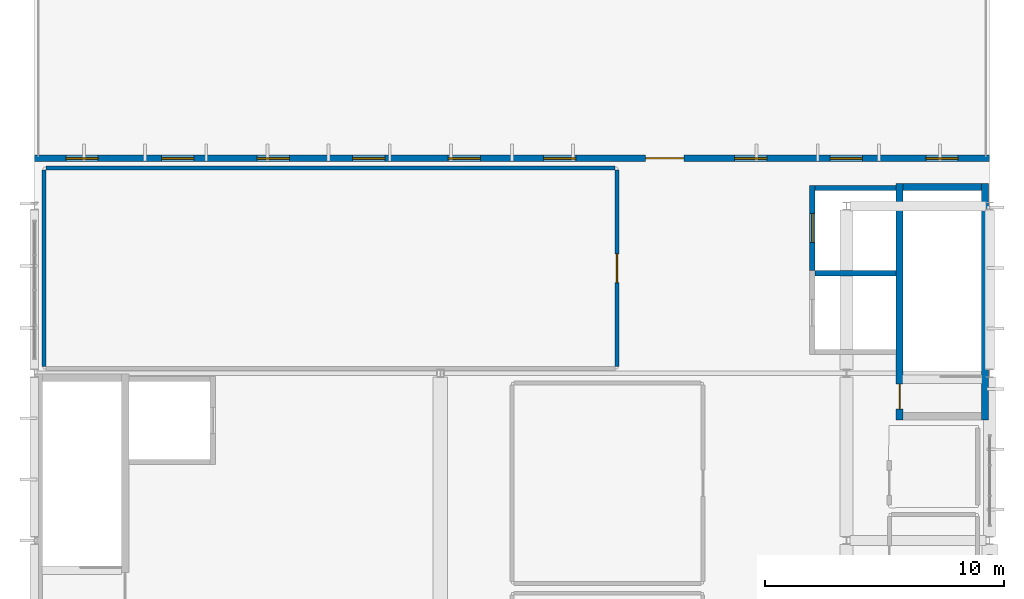
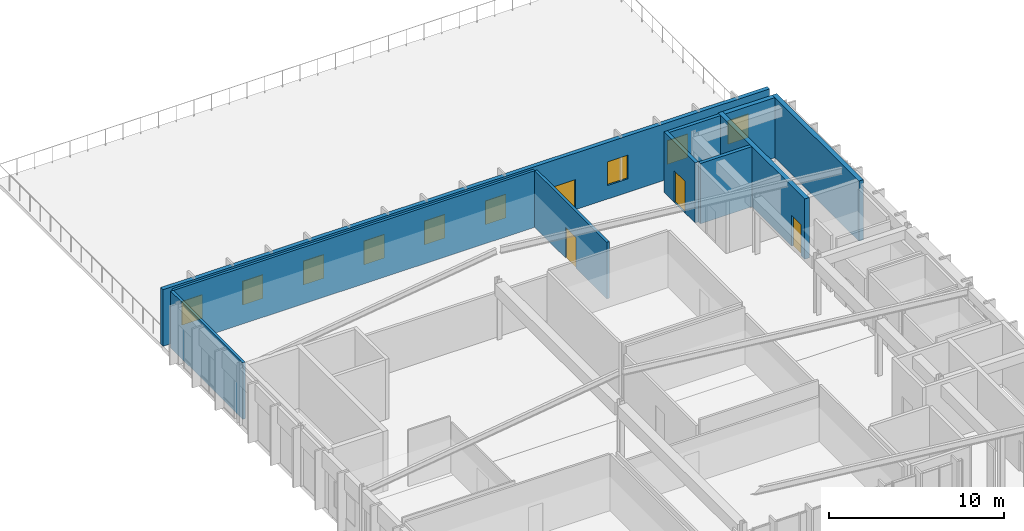
# One storey, part 14 of 16: 10 walls, 9 windows, 4 doors, 13 openings.
"""IFC4 building model written with IfcOpenShell, lengths in metres."""

from ifc_helpers import new_model, si_unit, direction, frame, frame_2d, origin, place, context, subcontext, project, spatial, rectangle, extrude, material, layer, layer_set, type_object, element, fill, save


model = new_model("IFC4")

# Units and contexts
model_context = context("Model", 3, precision=1e-05, world=origin(), true_north=direction((0.0, 1.0)))
body_context = subcontext(model_context, "Body", "Model", "MODEL_VIEW")
ifc_project = project(units=[si_unit("LENGTHUNIT", "METRE"), si_unit("AREAUNIT", "SQUARE_METRE"), si_unit("VOLUMEUNIT", "CUBIC_METRE"), si_unit("PLANEANGLEUNIT", "RADIAN"), si_unit("MASSUNIT", "GRAM", prefix="KILO")], contexts=[model_context])

# Site, building, storey
site_placement = place(None, origin())
site = spatial("IfcSite", under=ifc_project, at=site_placement, CompositionType="ELEMENT")
building_placement = place(site_placement, origin())
building = spatial("IfcBuilding", under=site, at=building_placement, Name="Larkveld Mobility Hub", CompositionType="ELEMENT")
storey_placement = place(building_placement, frame((0.0, 0.0, 22.800048828125)))
storey = spatial("IfcBuildingStorey", under=building, at=storey_placement, Name="L06", CompositionType="ELEMENT", Elevation=22.800048828125)

# Wall, openings, door, windows
ifc_material_1 = material(Name="Precast concrete C50/60", Category="concrete")
ifc_layer_1 = layer(ifc_material_1, 0.27001953125, Name="Precast concrete C50/60", Category="concrete")
ifc_layer_set_1 = layer_set([ifc_layer_1], Name="Precast concrete C50/60")
wall_type_1 = type_object("IfcWallType", Name="WL-EXT-270", PredefinedType="SOLIDWALL", material=ifc_layer_set_1)
wall_1_placement = place(storey_placement, frame((152.0, 65.0, 0.0), z_axis=(0.0, 0.0, 1.0), x_axis=(-1.0, 0.0, 0.0)))
wall_1 = element("IfcWall", 1, at=wall_1_placement, inside=storey, type_object=wall_type_1, Name="Stepped North Terrace Wall L06-0246", PredefinedType="SOLIDWALL", context=body_context, shape_type="SweptSolid", body=[
    extrude(rectangle(XDim=40.0, YDim=0.27001953125, at=frame_2d((20.0, 0.0))), origin(), (0.0, 0.0, 1.0), 3.945068359375),
])
opening_1_placement = place(wall_1_placement, frame((12.800048828125, 0.0, 0.0)))
opening_1 = element("IfcOpeningElement", 2, at=opening_1_placement, cuts=wall_1, Name="Opening ED07", PredefinedType="OPENING", context=body_context, shape_type="SweptSolid", body=[
    extrude(rectangle(XDim=1.60009765625, YDim=2.10009765625, at=frame_2d((0.800048828125, 1.050048828125))), frame((0.0, 0.14501953125, 0.0), z_axis=(0.0, -1.0, 0.0), x_axis=(1.0, 0.0, 0.0)), (0.0, 0.0, 1.0), 0.2900390625),
])
opening_2_placement = place(wall_1_placement, frame((1.324951171875, 0.0, 0.949951171875)))
opening_2 = element("IfcOpeningElement", 3, at=opening_2_placement, cuts=wall_1, Name="Opening W19", PredefinedType="OPENING", context=body_context, shape_type="SweptSolid", body=[
    extrude(rectangle(XDim=1.35009765625, YDim=1.64990234375, at=frame_2d((0.675048828125, 0.824951171875))), frame((0.0, 0.14501953125, 0.0), z_axis=(0.0, -1.0, 0.0), x_axis=(1.0, 0.0, 0.0)), (0.0, 0.0, 1.0), 0.2900390625),
])
opening_3_placement = place(wall_1_placement, frame((5.324951171875, 0.0, 0.949951171875)))
opening_3 = element("IfcOpeningElement", 4, at=opening_3_placement, cuts=wall_1, Name="Opening W19", PredefinedType="OPENING", context=body_context, shape_type="SweptSolid", body=[
    extrude(rectangle(XDim=1.35009765625, YDim=1.64990234375, at=frame_2d((0.675048828125, 0.824951171875))), frame((0.0, 0.14501953125, 0.0), z_axis=(0.0, -1.0, 0.0), x_axis=(1.0, 0.0, 0.0)), (0.0, 0.0, 1.0), 0.2900390625),
])
opening_4_placement = place(wall_1_placement, frame((9.324951171875, 0.0, 0.949951171875)))
opening_4 = element("IfcOpeningElement", 5, at=opening_4_placement, cuts=wall_1, Name="Opening W19", PredefinedType="OPENING", context=body_context, shape_type="SweptSolid", body=[
    extrude(rectangle(XDim=1.35009765625, YDim=1.64990234375, at=frame_2d((0.675048828125, 0.824951171875))), frame((0.0, 0.14501953125, 0.0), z_axis=(0.0, -1.0, 0.0), x_axis=(1.0, 0.0, 0.0)), (0.0, 0.0, 1.0), 0.2900390625),
])
opening_5_placement = place(wall_1_placement, frame((17.324951171875, 0.0, 0.949951171875)))
opening_5 = element("IfcOpeningElement", 6, at=opening_5_placement, cuts=wall_1, Name="Opening W19", PredefinedType="OPENING", context=body_context, shape_type="SweptSolid", body=[
    extrude(rectangle(XDim=1.35009765625, YDim=1.64990234375, at=frame_2d((0.675048828125, 0.824951171875))), frame((0.0, 0.14501953125, 0.0), z_axis=(0.0, -1.0, 0.0), x_axis=(1.0, 0.0, 0.0)), (0.0, 0.0, 1.0), 0.2900390625),
])
opening_6_placement = place(wall_1_placement, frame((21.324951171875, 0.0, 0.949951171875)))
opening_6 = element("IfcOpeningElement", 7, at=opening_6_placement, cuts=wall_1, Name="Opening W19", PredefinedType="OPENING", context=body_context, shape_type="SweptSolid", body=[
    extrude(rectangle(XDim=1.35009765625, YDim=1.64990234375, at=frame_2d((0.675048828125, 0.824951171875))), frame((0.0, 0.14501953125, 0.0), z_axis=(0.0, -1.0, 0.0), x_axis=(1.0, 0.0, 0.0)), (0.0, 0.0, 1.0), 0.2900390625),
])
opening_7_placement = place(wall_1_placement, frame((25.324951171875, 0.0, 0.949951171875)))
opening_7 = element("IfcOpeningElement", 8, at=opening_7_placement, cuts=wall_1, Name="Opening W19", PredefinedType="OPENING", context=body_context, shape_type="SweptSolid", body=[
    extrude(rectangle(XDim=1.35009765625, YDim=1.64990234375, at=frame_2d((0.675048828125, 0.824951171875))), frame((0.0, 0.14501953125, 0.0), z_axis=(0.0, -1.0, 0.0), x_axis=(1.0, 0.0, 0.0)), (0.0, 0.0, 1.0), 0.2900390625),
])
opening_8_placement = place(wall_1_placement, frame((29.324951171875, 0.0, 0.949951171875)))
opening_8 = element("IfcOpeningElement", 9, at=opening_8_placement, cuts=wall_1, Name="Opening W19", PredefinedType="OPENING", context=body_context, shape_type="SweptSolid", body=[
    extrude(rectangle(XDim=1.35009765625, YDim=1.64990234375, at=frame_2d((0.675048828125, 0.824951171875))), frame((0.0, 0.14501953125, 0.0), z_axis=(0.0, -1.0, 0.0), x_axis=(1.0, 0.0, 0.0)), (0.0, 0.0, 1.0), 0.2900390625),
])
opening_9_placement = place(wall_1_placement, frame((33.324951171875, 0.0, 0.949951171875)))
opening_9 = element("IfcOpeningElement", 10, at=opening_9_placement, cuts=wall_1, Name="Opening W19", PredefinedType="OPENING", context=body_context, shape_type="SweptSolid", body=[
    extrude(rectangle(XDim=1.35009765625, YDim=1.64990234375, at=frame_2d((0.675048828125, 0.824951171875))), frame((0.0, 0.14501953125, 0.0), z_axis=(0.0, -1.0, 0.0), x_axis=(1.0, 0.0, 0.0)), (0.0, 0.0, 1.0), 0.2900390625),
])
opening_10_placement = place(wall_1_placement, frame((37.324951171875, 0.0, 0.949951171875)))
opening_10 = element("IfcOpeningElement", 11, at=opening_10_placement, cuts=wall_1, Name="Opening W19", PredefinedType="OPENING", context=body_context, shape_type="SweptSolid", body=[
    extrude(rectangle(XDim=1.35009765625, YDim=1.64990234375, at=frame_2d((0.675048828125, 0.824951171875))), frame((0.0, 0.14501953125, 0.0), z_axis=(0.0, -1.0, 0.0), x_axis=(1.0, 0.0, 0.0)), (0.0, 0.0, 1.0), 0.2900390625),
])
ifc_material_2 = material(Name="Anodised aluminium glazed terrace door", Category="aluminium")
door_type_1 = type_object("IfcDoorType", Name="DR-EXT-TER16", OperationType="DOUBLE_DOOR_SINGLE_SWING", PredefinedType="DOOR", material=ifc_material_2)
door_1_placement = place(opening_1_placement, origin())
door_1 = element("IfcDoor", 12, at=door_1_placement, inside=storey, type_object=door_type_1, Name="North Stepped Terrace Door L06 EDR-L06-028", OperationType="DOUBLE_DOOR_SINGLE_SWING", OverallHeight=2.10009765625, OverallWidth=1.60009765625, PredefinedType="DOOR", context=body_context, shape_type="SweptSolid", body=[
    extrude(rectangle(XDim=1.60009765625, YDim=2.10009765625, at=frame_2d((0.800048828125, 1.050048828125))), frame((0.0, 0.02490234375, 0.0), z_axis=(0.0, -1.0, 0.0), x_axis=(1.0, 0.0, 0.0)), (0.0, 0.0, 1.0), 0.050048828125),
])
fill(opening_1, door_1)
ifc_material_3 = material(Name="Low-E double glazing in aluminium frame", Category="aluminium")
window_type = type_object("IfcWindowType", Name="WN-ALU-19", PartitioningType="SINGLE_PANEL", PredefinedType="WINDOW", material=ifc_material_3)
window_1_placement = place(opening_2_placement, origin())
window_1 = element("IfcWindow", 13, at=window_1_placement, inside=storey, type_object=window_type, Name="Window W19 (1065)", OverallHeight=1.64990234375, OverallWidth=1.35009765625, PartitioningType="SINGLE_PANEL", PredefinedType="WINDOW", context=body_context, shape_type="SweptSolid", body=[
    extrude(rectangle(XDim=1.35009765625, YDim=1.64990234375, at=frame_2d((0.675048828125, 0.824951171875))), frame((0.0, 0.030029296875, 0.0), z_axis=(0.0, -1.0, 0.0), x_axis=(1.0, 0.0, 0.0)), (0.0, 0.0, 1.0), 0.06005859375),
])
fill(opening_2, window_1)
window_2_placement = place(opening_3_placement, origin())
window_2 = element("IfcWindow", 14, at=window_2_placement, inside=storey, type_object=window_type, Name="Window W19 (1066)", OverallHeight=1.64990234375, OverallWidth=1.35009765625, PartitioningType="SINGLE_PANEL", PredefinedType="WINDOW", context=body_context, shape_type="SweptSolid", body=[
    extrude(rectangle(XDim=1.35009765625, YDim=1.64990234375, at=frame_2d((0.675048828125, 0.824951171875))), frame((0.0, 0.030029296875, 0.0), z_axis=(0.0, -1.0, 0.0), x_axis=(1.0, 0.0, 0.0)), (0.0, 0.0, 1.0), 0.06005859375),
])
fill(opening_3, window_2)
window_3_placement = place(opening_4_placement, origin())
window_3 = element("IfcWindow", 15, at=window_3_placement, inside=storey, type_object=window_type, Name="Window W19 (1067)", OverallHeight=1.64990234375, OverallWidth=1.35009765625, PartitioningType="SINGLE_PANEL", PredefinedType="WINDOW", context=body_context, shape_type="SweptSolid", body=[
    extrude(rectangle(XDim=1.35009765625, YDim=1.64990234375, at=frame_2d((0.675048828125, 0.824951171875))), frame((0.0, 0.030029296875, 0.0), z_axis=(0.0, -1.0, 0.0), x_axis=(1.0, 0.0, 0.0)), (0.0, 0.0, 1.0), 0.06005859375),
])
fill(opening_4, window_3)
window_4_placement = place(opening_5_placement, origin())
window_4 = element("IfcWindow", 16, at=window_4_placement, inside=storey, type_object=window_type, Name="Window W19 (1068)", OverallHeight=1.64990234375, OverallWidth=1.35009765625, PartitioningType="SINGLE_PANEL", PredefinedType="WINDOW", context=body_context, shape_type="SweptSolid", body=[
    extrude(rectangle(XDim=1.35009765625, YDim=1.64990234375, at=frame_2d((0.675048828125, 0.824951171875))), frame((0.0, 0.030029296875, 0.0), z_axis=(0.0, -1.0, 0.0), x_axis=(1.0, 0.0, 0.0)), (0.0, 0.0, 1.0), 0.06005859375),
])
fill(opening_5, window_4)
window_5_placement = place(opening_6_placement, origin())
window_5 = element("IfcWindow", 17, at=window_5_placement, inside=storey, type_object=window_type, Name="Window W19 (1069)", OverallHeight=1.64990234375, OverallWidth=1.35009765625, PartitioningType="SINGLE_PANEL", PredefinedType="WINDOW", context=body_context, shape_type="SweptSolid", body=[
    extrude(rectangle(XDim=1.35009765625, YDim=1.64990234375, at=frame_2d((0.675048828125, 0.824951171875))), frame((0.0, 0.030029296875, 0.0), z_axis=(0.0, -1.0, 0.0), x_axis=(1.0, 0.0, 0.0)), (0.0, 0.0, 1.0), 0.06005859375),
])
fill(opening_6, window_5)
window_6_placement = place(opening_7_placement, origin())
window_6 = element("IfcWindow", 18, at=window_6_placement, inside=storey, type_object=window_type, Name="Window W19 (1070)", OverallHeight=1.64990234375, OverallWidth=1.35009765625, PartitioningType="SINGLE_PANEL", PredefinedType="WINDOW", context=body_context, shape_type="SweptSolid", body=[
    extrude(rectangle(XDim=1.35009765625, YDim=1.64990234375, at=frame_2d((0.675048828125, 0.824951171875))), frame((0.0, 0.030029296875, 0.0), z_axis=(0.0, -1.0, 0.0), x_axis=(1.0, 0.0, 0.0)), (0.0, 0.0, 1.0), 0.06005859375),
])
fill(opening_7, window_6)
window_7_placement = place(opening_8_placement, origin())
window_7 = element("IfcWindow", 19, at=window_7_placement, inside=storey, type_object=window_type, Name="Window W19 (1071)", OverallHeight=1.64990234375, OverallWidth=1.35009765625, PartitioningType="SINGLE_PANEL", PredefinedType="WINDOW", context=body_context, shape_type="SweptSolid", body=[
    extrude(rectangle(XDim=1.35009765625, YDim=1.64990234375, at=frame_2d((0.675048828125, 0.824951171875))), frame((0.0, 0.030029296875, 0.0), z_axis=(0.0, -1.0, 0.0), x_axis=(1.0, 0.0, 0.0)), (0.0, 0.0, 1.0), 0.06005859375),
])
fill(opening_8, window_7)
window_8_placement = place(opening_9_placement, origin())
window_8 = element("IfcWindow", 20, at=window_8_placement, inside=storey, type_object=window_type, Name="Window W19 (1072)", OverallHeight=1.64990234375, OverallWidth=1.35009765625, PartitioningType="SINGLE_PANEL", PredefinedType="WINDOW", context=body_context, shape_type="SweptSolid", body=[
    extrude(rectangle(XDim=1.35009765625, YDim=1.64990234375, at=frame_2d((0.675048828125, 0.824951171875))), frame((0.0, 0.030029296875, 0.0), z_axis=(0.0, -1.0, 0.0), x_axis=(1.0, 0.0, 0.0)), (0.0, 0.0, 1.0), 0.06005859375),
])
fill(opening_9, window_8)
window_9_placement = place(opening_10_placement, origin())
window_9 = element("IfcWindow", 21, at=window_9_placement, inside=storey, type_object=window_type, Name="Window W19 (1073)", OverallHeight=1.64990234375, OverallWidth=1.35009765625, PartitioningType="SINGLE_PANEL", PredefinedType="WINDOW", context=body_context, shape_type="SweptSolid", body=[
    extrude(rectangle(XDim=1.35009765625, YDim=1.64990234375, at=frame_2d((0.675048828125, 0.824951171875))), frame((0.0, 0.030029296875, 0.0), z_axis=(0.0, -1.0, 0.0), x_axis=(1.0, 0.0, 0.0)), (0.0, 0.0, 1.0), 0.06005859375),
])
fill(opening_10, window_9)

# Walls
ifc_material_4 = material(Name="Concrete blockwork masonry 14 MPa", Category="masonry")
ifc_layer_2 = layer(ifc_material_4, 0.175048828125, Name="Concrete blockwork masonry 14 MPa", Category="masonry")
ifc_layer_set_2 = layer_set([ifc_layer_2], Name="Concrete blockwork masonry 14 MPa")
wall_type_2 = type_object("IfcWallType", Name="WL-PRT-175", PredefinedType="PARTITIONING", material=ifc_layer_set_2)
wall_2_placement = place(storey_placement, frame((112.47998046875, 64.60009765625, 0.0), z_axis=(0.0, 0.0, 1.0), x_axis=(1.0, 0.0, 0.0)))
element("IfcWall", 22, at=wall_2_placement, inside=storey, type_object=wall_type_2, Name="Harbour View Spectator Club Lounge Partition 0306", PredefinedType="PARTITIONING", context=body_context, shape_type="SweptSolid", body=[
    extrude(rectangle(XDim=23.840087890625, YDim=0.175048828125, at=frame_2d((11.919921875, 0.0))), origin(), (0.0, 0.0, 1.0), 3.945068359375),
])
wall_3_placement = place(storey_placement, frame((112.39990234375, 56.280029296875, 0.0), z_axis=(0.0, 0.0, 1.0), x_axis=(0.0, 1.0, 0.0)))
element("IfcWall", 23, at=wall_3_placement, inside=storey, type_object=wall_type_2, Name="Harbour View Spectator Club Lounge Partition 0307", PredefinedType="PARTITIONING", context=body_context, shape_type="SweptSolid", body=[
    extrude(rectangle(XDim=8.239990234375, YDim=0.175048828125, at=frame_2d((4.1201171875, 0.0))), origin(), (0.0, 0.0, 1.0), 3.945068359375),
])

# Wall, opening, door
wall_4_placement = place(storey_placement, frame((136.39990234375, 56.280029296875, 0.0), z_axis=(0.0, 0.0, 1.0), x_axis=(0.0, 1.0, 0.0)))
wall_4 = element("IfcWall", 24, at=wall_4_placement, inside=storey, type_object=wall_type_2, Name="Harbour View Spectator Club Lounge Partition 0308", PredefinedType="PARTITIONING", context=body_context, shape_type="SweptSolid", body=[
    extrude(rectangle(XDim=8.239990234375, YDim=0.175048828125, at=frame_2d((4.1201171875, 0.0))), origin(), (0.0, 0.0, 1.0), 3.945068359375),
])
opening_11_placement = place(wall_4_placement, frame((3.52001953125, 0.0, 0.0)))
opening_11 = element("IfcOpeningElement", 25, at=opening_11_placement, cuts=wall_4, Name="Opening DI06", PredefinedType="OPENING", context=body_context, shape_type="SweptSolid", body=[
    extrude(rectangle(XDim=1.199951171875, YDim=2.14990234375, at=frame_2d((0.60009765625, 1.074951171875))), frame((0.0, 0.09765625, 0.0), z_axis=(0.0, -1.0, 0.0), x_axis=(1.0, 0.0, 0.0)), (0.0, 0.0, 1.0), 0.195068359375),
])
ifc_material_5 = material(Name="Solid-core hardwood timber door in aluminium frame", Category="wood")
door_type_2 = type_object("IfcDoorType", Name="DR-INT-120", OperationType="NOTDEFINED", PredefinedType="DOOR", material=ifc_material_5)
door_2_placement = place(opening_11_placement, origin())
door_2 = element("IfcDoor", 26, at=door_2_placement, inside=storey, type_object=door_type_2, Name="Harbour View Spectator Club Lounge Door 0078", OperationType="SINGLE_SWING_LEFT", OverallHeight=2.14990234375, OverallWidth=1.199951171875, PredefinedType="DOOR", context=body_context, shape_type="SweptSolid", body=[
    extrude(rectangle(XDim=1.199951171875, YDim=2.14990234375, at=frame_2d((0.60009765625, 1.074951171875))), frame((0.0, 0.02490234375, 0.0), z_axis=(0.0, -1.0, 0.0), x_axis=(1.0, 0.0, 0.0)), (0.0, 0.0, 1.0), 0.050048828125),
])
fill(opening_11, door_2)

ifc_material_6 = material(Name="Concrete C40/50", Category="concrete")
ifc_layer_3 = layer(ifc_material_6, 0.219970703125, Name="Concrete C40/50", Category="concrete")
ifc_layer_set_3 = layer_set([ifc_layer_3], Name="Concrete C40/50")
wall_type_3 = type_object("IfcWallType", Name="WL-SHF-220", PredefinedType="SHEAR", material=ifc_layer_set_3)
wall_5_placement = place(storey_placement, frame((144.570068359375, 60.300048828125, 0.0), z_axis=(0.0, 0.0, 1.0), x_axis=(0.0, 1.0, 0.0)))
wall_5 = element("IfcWall", 27, at=wall_5_placement, inside=storey, type_object=wall_type_3, Name="Lift FL2 Shaft Wall L06-W", PredefinedType="SHEAR", context=body_context, shape_type="SweptSolid", body=[
    extrude(rectangle(XDim=3.570068359375, YDim=0.219970703125, at=frame_2d((1.78515625, 0.0))), origin(), (0.0, 0.0, 1.0), 4.199951171875),
])
opening_12_placement = place(wall_5_placement, frame((1.18505859375, 0.0, 0.0)))
opening_12 = element("IfcOpeningElement", 28, at=opening_12_placement, cuts=wall_5, Name="Opening LD02", PredefinedType="OPENING", context=body_context, shape_type="SweptSolid", body=[
    extrude(rectangle(XDim=1.199951171875, YDim=2.199951171875, at=frame_2d((0.60009765625, 1.10009765625))), frame((0.0, 0.1201171875, 0.0), z_axis=(0.0, -1.0, 0.0), x_axis=(1.0, 0.0, 0.0)), (0.0, 0.0, 1.0), 0.239990234375),
])
ifc_material_7 = material(Name="Brushed stainless Steel S355JR sliding landing door", Category="steel")
door_type_3 = type_object("IfcDoorType", Name="DR-LD-120", OperationType="DOUBLE_DOOR_SLIDING", PredefinedType="DOOR", material=ifc_material_7)
door_3_placement = place(opening_12_placement, origin())
door_3 = element("IfcDoor", 29, at=door_3_placement, inside=storey, type_object=door_type_3, Name="Lift landing door FL2-L06", OperationType="DOUBLE_DOOR_SLIDING", OverallHeight=2.199951171875, OverallWidth=1.199951171875, PredefinedType="DOOR", context=body_context, shape_type="SweptSolid", body=[
    extrude(rectangle(XDim=1.199951171875, YDim=2.199951171875, at=frame_2d((0.60009765625, 1.10009765625))), frame((0.0, 0.02490234375, 0.0), z_axis=(0.0, -1.0, 0.0), x_axis=(1.0, 0.0, 0.0)), (0.0, 0.0, 1.0), 0.050048828125),
])
fill(opening_12, door_3)

# Walls
for number, where, z_axis, x_axis, name in (
    (30, (144.679931640625, 63.760009765625, 0.0), (0.0, 0.0, 1.0), (1.0, 0.0, 0.0), "Lift FL2 Shaft Wall L06-N"),
    (31, (144.679931640625, 60.18994140625, 0.0), (0.0, 0.0, 1.0), (1.0, 0.0, 0.0), "Lift PL1 Shaft Wall L06-N"),
):
    element("IfcWall", number, at=place(storey_placement, frame(where, z_axis=z_axis, x_axis=x_axis)), inside=storey, type_object=wall_type_3, Name=name, PredefinedType="SHEAR", context=body_context, shape_type="SweptSolid", body=[
        extrude(rectangle(XDim=3.400146484375, YDim=0.219970703125, at=frame_2d((1.7001953125, 0.0))), origin(), (0.0, 0.0, 1.0), 4.199951171875),
    ])

# Wall, opening, door
ifc_layer_4 = layer(ifc_material_6, 0.300048828125, Name="Concrete C40/50", Category="concrete")
ifc_layer_set_4 = layer_set([ifc_layer_4], Name="Concrete C40/50")
wall_type_4 = type_object("IfcWallType", Name="WL-SHR-02", PredefinedType="SHEAR", material=ifc_layer_set_4)
wall_6_placement = place(storey_placement, frame((148.22998046875, 54.050048828125, 0.0), z_axis=(0.0, 0.0, 1.0), x_axis=(0.0, 1.0, 0.0)))
wall_6 = element("IfcWall", 32, at=wall_6_placement, inside=storey, type_object=wall_type_4, Name="Core C2 Stair Shear Wall L06-W", PredefinedType="SHEAR", context=body_context, shape_type="SweptSolid", body=[
    extrude(rectangle(XDim=9.89990234375, YDim=0.300048828125, at=frame_2d((4.949951171875, 0.0))), origin(), (0.0, 0.0, 1.0), 4.199951171875),
])
opening_13_placement = place(wall_6_placement, frame((0.449951171875, 0.0, 0.0)))
opening_13 = element("IfcOpeningElement", 33, at=opening_13_placement, cuts=wall_6, Name="Opening DF02", PredefinedType="OPENING", context=body_context, shape_type="SweptSolid", body=[
    extrude(rectangle(XDim=1.050048828125, YDim=2.14990234375, at=frame_2d((0.52490234375, 1.074951171875))), frame((0.0, 0.16015625, 0.0), z_axis=(0.0, -1.0, 0.0), x_axis=(1.0, 0.0, 0.0)), (0.0, 0.0, 1.0), 0.320068359375),
])
ifc_material_8 = material(Name="Pressed Steel S355JR fire door assembly", Category="steel")
door_type_4 = type_object("IfcDoorType", Name="DR-FD60", OperationType="NOTDEFINED", PredefinedType="DOOR", material=ifc_material_8)
door_4_placement = place(opening_13_placement, origin())
door_4 = element("IfcDoor", 34, at=door_4_placement, inside=storey, type_object=door_type_4, Name="Stair ST2 Fire Door L06", OperationType="SINGLE_SWING_LEFT", OverallHeight=2.14990234375, OverallWidth=1.050048828125, PredefinedType="DOOR", context=body_context, shape_type="SweptSolid", body=[
    extrude(rectangle(XDim=1.050048828125, YDim=2.14990234375, at=frame_2d((0.52490234375, 1.074951171875))), frame((0.0, 0.02490234375, 0.0), z_axis=(0.0, -1.0, 0.0), x_axis=(1.0, 0.0, 0.0)), (0.0, 0.0, 1.0), 0.050048828125),
])
fill(opening_13, door_4)

# Walls
wall_7_placement = place(storey_placement, frame((151.800048828125, 63.949951171875, 0.0), z_axis=(0.0, 0.0, 1.0), x_axis=(0.0, -1.0, 0.0)))
element("IfcWall", 35, at=wall_7_placement, inside=storey, type_object=wall_type_4, Name="Core C2 Stair Shear Wall L06-E", PredefinedType="SHEAR", context=body_context, shape_type="SweptSolid", body=[
    extrude(rectangle(XDim=9.89990234375, YDim=0.300048828125, at=frame_2d((4.949951171875, 0.0))), origin(), (0.0, 0.0, 1.0), 4.199951171875),
])
wall_8_placement = place(storey_placement, frame((148.3798828125, 63.800048828125, 0.0), z_axis=(0.0, 0.0, 1.0), x_axis=(1.0, 0.0, 0.0)))
element("IfcWall", 36, at=wall_8_placement, inside=storey, type_object=wall_type_4, Name="Core C2 Stair Shear Wall L06-N", PredefinedType="SHEAR", context=body_context, shape_type="SweptSolid", body=[
    extrude(rectangle(XDim=3.27001953125, YDim=0.300048828125, at=frame_2d((1.635009765625, 0.0))), origin(), (0.0, 0.0, 1.0), 4.199951171875),
])

save(model, "model.ifc")
